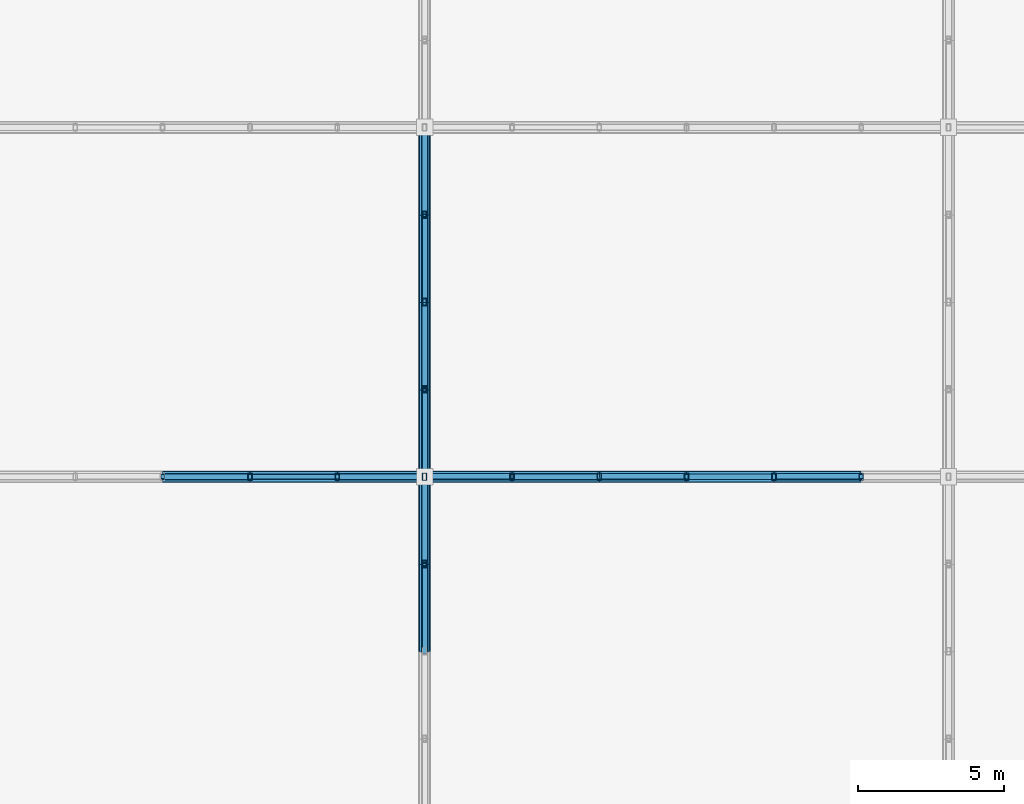
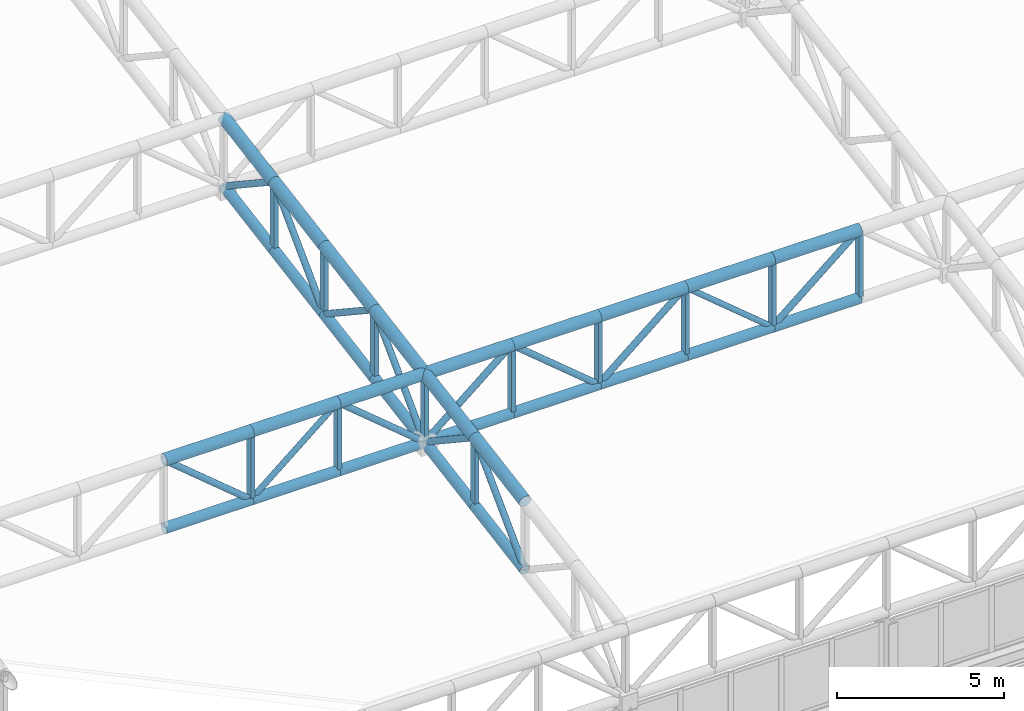
# One storey, part 66 of 239: 54 members.
"""IFC4 building model written with IfcOpenShell, lengths in metres."""

import ifcopenshell
import ifcopenshell.guid

model = None  # the IFC model being written
_history = None  # IfcOwnerHistory: only IFC2X3 demands one
_inside = {}  # id of a spatial element -> (the spatial element, [elements in it])
_under = {}  # id of a project, library or spatial element -> (it, [spatial elements below it])
_declared = {}  # id of a project -> (the project, [libraries it declares])
_typed = {}  # id of a type object -> (the type object, [elements of that type])
_made_of = {}  # id of a material, layer set ... -> (it, [elements and type objects made of it])


def new_model(schema):
    """Start an empty IFC model of exactly this schema.

    Asked for "IFC4X3", IfcOpenShell would pick the latest addendum, in which some entities
    have other attributes; the version numbers below select the first issue.
    IFC2X3 requires an IfcOwnerHistory on every rooted entity: one is made here for all.
    """
    global model, _history
    if schema == "IFC4X3":
        model = ifcopenshell.file(schema_version=(4, 3, 0, 0))
    else:
        model = ifcopenshell.file(schema=schema)
    _inside.clear()
    _under.clear()
    _declared.clear()
    _typed.clear()
    _made_of.clear()
    _history = None
    if model.schema == "IFC2X3":
        org = make("IfcOrganization", Name="unknown")
        user = make(
            "IfcPersonAndOrganization",
            ThePerson=make("IfcPerson", FamilyName="unknown"),
            TheOrganization=org,
        )
        app = make(
            "IfcApplication",
            ApplicationDeveloper=org,
            Version="unknown",
            ApplicationFullName="unknown",
            ApplicationIdentifier="unknown",
        )
        _history = make(
            "IfcOwnerHistory",
            OwningUser=user,
            OwningApplication=app,
            ChangeAction="ADDED",
            CreationDate=0,
        )
    return model


def make(cls, **values):
    """One entity of the class cls with the attributes given. An attribute that is None is left unset."""
    return model.create_entity(
        cls, **{name: value for name, value in values.items() if value is not None}
    )


def rooted(cls, **values):
    """An entity with a GlobalId (a new one), such as an element, a storey or a relation."""
    return make(cls, GlobalId=ifcopenshell.guid.new(), OwnerHistory=_history, **values)


def si_unit(unit_type, name, prefix=None):
    """IfcSIUnit, for example si_unit("LENGTHUNIT", "METRE", prefix="MILLI")."""
    return make("IfcSIUnit", UnitType=unit_type, Prefix=prefix, Name=name)


def assignment(units):
    """IfcUnitAssignment: the units of a project."""
    return None if units is None else make("IfcUnitAssignment", Units=units)


def point(xyz):
    """IfcCartesianPoint."""
    return None if xyz is None else make("IfcCartesianPoint", Coordinates=xyz)


def direction(xyz):
    """IfcDirection."""
    return None if xyz is None else make("IfcDirection", DirectionRatios=xyz)


def frame(location, z_axis=None, x_axis=None):
    """IfcAxis2Placement3D, a coordinate frame: its origin and axes. An axis left out is left unset."""
    return make(
        "IfcAxis2Placement3D",
        Location=point(location),
        Axis=direction(z_axis),
        RefDirection=direction(x_axis),
    )


def frame_2d(location, x_axis=None):
    """IfcAxis2Placement2D, a coordinate frame in the plane: its origin and x axis."""
    return make(
        "IfcAxis2Placement2D", Location=point(location), RefDirection=direction(x_axis)
    )


def origin():
    """The frame at (0, 0, 0) with its axes left unset."""
    return frame((0.0, 0.0, 0.0))


def origin_2d():
    """The frame at (0, 0) in the plane with its x axis left unset."""
    return frame_2d((0.0, 0.0))


def place(relative_to, where):
    """IfcLocalPlacement: puts the frame where relative to a parent placement (None: the world)."""
    return make(
        "IfcLocalPlacement", PlacementRelTo=relative_to, RelativePlacement=where
    )


def context(
    kind, dimensions, precision=None, world=None, true_north=None, identifier=None
):
    """IfcGeometricRepresentationContext, for example the 3D "Model" context."""
    return make(
        "IfcGeometricRepresentationContext",
        ContextIdentifier=identifier,
        ContextType=kind,
        CoordinateSpaceDimension=dimensions,
        Precision=precision,
        WorldCoordinateSystem=world,
        TrueNorth=true_north,
    )


def subcontext(parent, identifier, kind, view, scale=None):
    """IfcGeometricRepresentationSubContext, for example "Body" below "Model"."""
    return make(
        "IfcGeometricRepresentationSubContext",
        ContextIdentifier=identifier,
        ContextType=kind,
        ParentContext=parent,
        TargetScale=scale,
        TargetView=view,
    )


def project(units=None, contexts=None):
    """IfcProject with its units and contexts."""
    return rooted(
        "IfcProject",
        Name="project",
        RepresentationContexts=contexts,
        UnitsInContext=assignment(units),
    )


def spatial(cls, under=None, at=None, **own):
    """A site, building, storey or space (cls), placed at a placement, below another one or the project."""
    s = rooted(cls, ObjectPlacement=at, **own)
    if under is not None:
        _under.setdefault(under.id(), (under, []))[1].append(s)
    return s


def profile(cls, at=None, kind="AREA", **sizes):
    """A parametric profile (cls). Its sizes go by their IFC names, for example OverallWidth=200.0."""
    return make(cls, ProfileType=kind, Position=at, **sizes)


def hollow_rectangle(**sizes):
    """IfcRectangleHollowProfileDef."""
    return profile("IfcRectangleHollowProfileDef", **sizes)


def hollow_circle(**sizes):
    """IfcCircleHollowProfileDef."""
    return profile("IfcCircleHollowProfileDef", **sizes)


def extrude(swept, where, along, depth):
    """IfcExtrudedAreaSolid: the profile swept, set in the frame where, extruded along a direction by depth."""
    return make(
        "IfcExtrudedAreaSolid",
        SweptArea=swept,
        Position=where,
        ExtrudedDirection=direction(along),
        Depth=depth,
    )


def shape(context_of_items, identifier, shape_type, items):
    """IfcShapeRepresentation: the items that make up one representation, for example the "Body"."""
    return make(
        "IfcShapeRepresentation",
        ContextOfItems=context_of_items,
        RepresentationIdentifier=identifier,
        RepresentationType=shape_type,
        Items=items,
    )


def material(Name=None, Category=None):
    """IfcMaterial."""
    return make("IfcMaterial", Name=Name, Category=Category)


def material_profile(
    of_material, cross_section, Name=None, Category=None, Priority=None
):
    """IfcMaterialProfile: a cross section and its material."""
    return make(
        "IfcMaterialProfile",
        Name=Name,
        Material=of_material,
        Profile=cross_section,
        Priority=Priority,
        Category=Category,
    )


def profile_set(profiles, Name=None, composite=None):
    """IfcMaterialProfileSet."""
    return make(
        "IfcMaterialProfileSet",
        Name=Name,
        MaterialProfiles=profiles,
        CompositeProfile=composite,
    )


def made_of(thing, what):
    """Note that an element or type object is made of a material, layer set ...; save() writes the relation."""
    if what is not None:
        _made_of.setdefault(what.id(), (what, []))[1].append(thing)
    return thing


def type_object(cls, material=None, **own):
    """A type object (cls), such as IfcWallType, which elements share."""
    return made_of(rooted(cls, **own), material)


def element(
    cls,
    number,
    at=None,
    inside=None,
    cuts=None,
    type_object=None,
    material=None,
    context=None,
    identifier="Body",
    shape_type=None,
    held_by="IfcProductDefinitionShape",
    body=None,
    shapes=None,
    **own,
):
    """One element of the class cls, such as IfcWall. Its Tag is "e" and its number.

    at: its placement. inside: the storey or other place that contains it. cuts: it is an
    opening in that element (IfcRelVoidsElement). A single representation is given by context,
    identifier, shape_type and body (its items); several are given by shapes. held_by: the class
    of the entity that holds the representations. save() writes the other relations.
    """
    e = rooted(cls, Tag="e%d" % number, ObjectPlacement=at, **own)
    if body is not None:
        shapes = [shape(context, identifier, shape_type, body)]
    if shapes is not None:
        e.Representation = make(held_by, Representations=shapes)
    if inside is not None:
        _inside.setdefault(inside.id(), (inside, []))[1].append(e)
    if cuts is not None:
        rooted(
            "IfcRelVoidsElement", RelatingBuildingElement=cuts, RelatedOpeningElement=e
        )
    if type_object is not None:
        _typed.setdefault(type_object.id(), (type_object, []))[1].append(e)
    return made_of(e, material)


def aggregate(whole, parts):
    """IfcRelAggregates: a whole, such as a stair, and the parts it consists of."""
    return rooted("IfcRelAggregates", RelatingObject=whole, RelatedObjects=parts)


def save(model, path):
    """Write the relations noted so far, then the file.

    IfcRelAggregates (storeys below a building ...), IfcRelContainedInSpatialStructure (elements
    in a storey), IfcRelDefinesByType, IfcRelAssociatesMaterial and IfcRelDeclares: one each for
    every whole, place, type object, material and project.
    """
    for whole, parts in _under.values():
        aggregate(whole, parts)
    for where, things in _inside.values():
        rooted(
            "IfcRelContainedInSpatialStructure",
            RelatedElements=things,
            RelatingStructure=where,
        )
    for kind, things in _typed.values():
        rooted("IfcRelDefinesByType", RelatedObjects=things, RelatingType=kind)
    for what, things in _made_of.values():
        rooted("IfcRelAssociatesMaterial", RelatedObjects=things, RelatingMaterial=what)
    for by, libraries in _declared.values():
        rooted("IfcRelDeclares", RelatingContext=by, RelatedDefinitions=libraries)
    model.write(path)


model = new_model("IFC4")

# Units and contexts
model_context = context("Model", 3, precision=1e-05, world=origin(), true_north=direction((0.0, 1.0)))
body_context = subcontext(model_context, "Body", "Model", "MODEL_VIEW")
ifc_project = project(units=[si_unit("LENGTHUNIT", "METRE"), si_unit("AREAUNIT", "SQUARE_METRE"), si_unit("VOLUMEUNIT", "CUBIC_METRE"), si_unit("PLANEANGLEUNIT", "RADIAN"), si_unit("MASSUNIT", "GRAM", prefix="KILO")], contexts=[model_context])

# Site, building, storey
site_placement = place(None, origin())
site = spatial("IfcSite", under=ifc_project, at=site_placement, CompositionType="ELEMENT")
building_placement = place(site_placement, origin())
building = spatial("IfcBuilding", under=site, at=building_placement, Name="Kaldris Quays Convention Centre", CompositionType="ELEMENT")
storey_placement = place(building_placement, frame((0.0, 0.0, 11.39990234375)))
storey = spatial("IfcBuildingStorey", under=building, at=storey_placement, Name="L02", CompositionType="ELEMENT", Elevation=11.39990234375)

# Members
ifc_material = material(Name="Steel S355J2H", Category="steel")
ifc_material_profile_1 = material_profile(ifc_material, hollow_circle(Radius=0.203125, WallThickness=0.01611328125, at=origin_2d()), Name="CHS 406.4x16")
ifc_profile_set_1 = profile_set([ifc_material_profile_1], Name="Steel S355J2H")
member_type_1 = type_object("IfcMemberType", Name="STRUCTURAL MEMBER SC01", PredefinedType="CHORD", material=ifc_profile_set_1)
for number, where, z_axis, x_axis, name in (
    (1, (83.0, 68.0, 11.72900390625), (1.0, 0.0, 0.0), (0.0, 1.0, 0.0), "SF-V1 Top Chord X 64"),
    (2, (86.0, 68.0, 11.72900390625), (1.0, 0.0, 0.0), (0.0, 1.0, 0.0), "SF-V1 Top Chord X 65"),
    (3, (89.0, 68.0, 11.72900390625), (1.0, 0.0, 0.0), (0.0, 1.0, 0.0), "SF-V1 Top Chord X 66"),
    (4, (92.0, 68.0, 11.72900390625), (1.0, 0.0, 0.0), (0.0, 1.0, 0.0), "SF-V1 Top Chord X 67"),
    (5, (95.0, 68.0, 11.72900390625), (1.0, 0.0, 0.0), (0.0, 1.0, 0.0), "SF-V1 Top Chord X 68"),
    (6, (98.0, 68.0, 11.72900390625), (1.0, 0.0, 0.0), (0.0, 1.0, 0.0), "SF-V1 Top Chord X 69"),
    (7, (101.0, 68.0, 11.72900390625), (1.0, 0.0, 0.0), (0.0, 1.0, 0.0), "SF-V1 Top Chord X 70"),
    (8, (104.0, 68.0, 11.72900390625), (1.0, 0.0, 0.0), (0.0, 1.0, 0.0), "SF-V1 Top Chord X 71"),
):
    element("IfcMember", number, at=place(storey_placement, frame(where, z_axis=z_axis, x_axis=x_axis)), inside=storey, type_object=member_type_1, Name=name, PredefinedType="CHORD", context=body_context, shape_type="SweptSolid", body=[
        extrude(hollow_circle(Radius=0.203125, WallThickness=0.01611328125, at=origin_2d()), origin(), (0.0, 0.0, 1.0), 3.0),
    ])
for number, where, z_axis, x_axis, name in (
    (9, (92.0, 62.0, 10.700439453125), (0.0, 0.985615766076, 0.169001661712), (-1.0, 0.0, 0.0), "SF-V1 Top Chord Y 451"),
    (10, (92.0, 65.0, 11.21484375), (0.0, 0.98562912375, 0.168923741424), (-1.0, 0.0, 0.0), "SF-V1 Top Chord Y 452"),
    (11, (92.0, 68.0, 11.72900390625), (0.0, 0.985615766076, 0.169001661712), (-1.0, 0.0, 0.0), "SF-V1 Top Chord Y 453"),
    (12, (92.0, 71.0, 12.243408203125), (0.0, 0.98562912375, 0.168923741424), (-1.0, 0.0, 0.0), "SF-V1 Top Chord Y 454"),
    (13, (92.0, 74.0, 12.757568359375), (0.0, 0.985615766076, 0.169001661712), (-1.0, 0.0, 0.0), "SF-V1 Top Chord Y 455"),
    (14, (92.0, 77.0, 13.27197265625), (0.0, 0.98562912375, 0.168923741424), (-1.0, 0.0, 0.0), "SF-V1 Top Chord Y 456"),
):
    element("IfcMember", number, at=place(storey_placement, frame(where, z_axis=z_axis, x_axis=x_axis)), inside=storey, type_object=member_type_1, Name=name, PredefinedType="CHORD", context=body_context, shape_type="SweptSolid", body=[
        extrude(hollow_circle(Radius=0.203125, WallThickness=0.01611328125, at=origin_2d()), origin(), (0.0, 0.0, 1.0), 3.043701171875),
    ])
ifc_material_profile_2 = material_profile(ifc_material, hollow_circle(Radius=0.177734375, WallThickness=0.01611328125, at=origin_2d()), Name="CHS 355.6x16")
ifc_profile_set_2 = profile_set([ifc_material_profile_2], Name="Steel S355J2H")
member_type_2 = type_object("IfcMemberType", Name="STRUCTURAL MEMBER SC02", PredefinedType="CHORD", material=ifc_profile_set_2)
for number, where, z_axis, x_axis, name in (
    (15, (83.0, 68.0, 9.22900390625), (1.0, 0.0, 0.0), (0.0, 1.0, 0.0), "SF-V1 Bottom Chord X 64"),
    (16, (86.0, 68.0, 9.22900390625), (1.0, 0.0, 0.0), (0.0, 1.0, 0.0), "SF-V1 Bottom Chord X 65"),
    (17, (89.0, 68.0, 9.22900390625), (1.0, 0.0, 0.0), (0.0, 1.0, 0.0), "SF-V1 Bottom Chord X 66"),
    (18, (92.0, 68.0, 9.22900390625), (1.0, 0.0, 0.0), (0.0, 1.0, 0.0), "SF-V1 Bottom Chord X 67"),
    (19, (95.0, 68.0, 9.22900390625), (1.0, 0.0, 0.0), (0.0, 1.0, 0.0), "SF-V1 Bottom Chord X 68"),
    (20, (98.0, 68.0, 9.22900390625), (1.0, 0.0, 0.0), (0.0, 1.0, 0.0), "SF-V1 Bottom Chord X 69"),
    (21, (101.0, 68.0, 9.22900390625), (1.0, 0.0, 0.0), (0.0, 1.0, 0.0), "SF-V1 Bottom Chord X 70"),
    (22, (104.0, 68.0, 9.22900390625), (1.0, 0.0, 0.0), (0.0, 1.0, 0.0), "SF-V1 Bottom Chord X 71"),
):
    element("IfcMember", number, at=place(storey_placement, frame(where, z_axis=z_axis, x_axis=x_axis)), inside=storey, type_object=member_type_2, Name=name, PredefinedType="CHORD", context=body_context, shape_type="SweptSolid", body=[
        extrude(hollow_circle(Radius=0.177734375, WallThickness=0.01611328125, at=origin_2d()), origin(), (0.0, 0.0, 1.0), 3.0),
    ])
for number, where, z_axis, x_axis, name in (
    (23, (92.0, 62.0, 8.200439453125), (0.0, 0.985615766076, 0.169001661712), (-1.0, 0.0, 0.0), "SF-V1 Bottom Chord Y 451"),
    (24, (92.0, 65.0, 8.71484375), (0.0, 0.98562912375, 0.168923741424), (-1.0, 0.0, 0.0), "SF-V1 Bottom Chord Y 452"),
    (25, (92.0, 68.0, 9.22900390625), (0.0, 0.985615766076, 0.169001661712), (-1.0, 0.0, 0.0), "SF-V1 Bottom Chord Y 453"),
    (26, (92.0, 71.0, 9.743408203125), (0.0, 0.98562912375, 0.168923741424), (-1.0, 0.0, 0.0), "SF-V1 Bottom Chord Y 454"),
    (27, (92.0, 74.0, 10.257568359375), (0.0, 0.985615766076, 0.169001661712), (-1.0, 0.0, 0.0), "SF-V1 Bottom Chord Y 455"),
    (28, (92.0, 77.0, 10.77197265625), (0.0, 0.98562912375, 0.168923741424), (-1.0, 0.0, 0.0), "SF-V1 Bottom Chord Y 456"),
):
    element("IfcMember", number, at=place(storey_placement, frame(where, z_axis=z_axis, x_axis=x_axis)), inside=storey, type_object=member_type_2, Name=name, PredefinedType="CHORD", context=body_context, shape_type="SweptSolid", body=[
        extrude(hollow_circle(Radius=0.177734375, WallThickness=0.01611328125, at=origin_2d()), origin(), (0.0, 0.0, 1.0), 3.043701171875),
    ])
ifc_material_profile_3 = material_profile(ifc_material, hollow_circle(Radius=0.109619140625, WallThickness=0.010009765625, at=origin_2d()), Name="CHS 219.1x10")
ifc_profile_set_3 = profile_set([ifc_material_profile_3], Name="Steel S355J2H")
member_type_3 = type_object("IfcMemberType", Name="STRUCTURAL MEMBER SWB1", PredefinedType="BRACE", material=ifc_profile_set_3)
for number, where, z_axis, x_axis, name in (
    (29, (86.0, 68.0, 9.22900390625), (-0.768221279597, 0.0, 0.640184399664), (0.0, -1.0, 0.0), "SF-V1 Web Diagonal X 64"),
    (30, (92.0, 68.0, 9.22900390625), (-0.768221279597, 0.0, 0.640184399664), (0.0, -1.0, 0.0), "SF-V1 Web Diagonal X 66"),
    (31, (92.0, 68.0, 9.22900390625), (0.768221279597, 0.0, 0.640184399664), (0.0, 1.0, 0.0), "SF-V1 Web Diagonal X 67"),
    (32, (98.0, 68.0, 9.22900390625), (-0.768221279597, 0.0, 0.640184399664), (0.0, -1.0, 0.0), "SF-V1 Web Diagonal X 68"),
    (33, (98.0, 68.0, 9.22900390625), (0.768221279597, 0.0, 0.640184399664), (0.0, 1.0, 0.0), "SF-V1 Web Diagonal X 69"),
    (34, (104.0, 68.0, 9.22900390625), (0.768221279597, 0.0, 0.640184399664), (0.0, 1.0, 0.0), "SF-V1 Web Diagonal X 71"),
):
    element("IfcMember", number, at=place(storey_placement, frame(where, z_axis=z_axis, x_axis=x_axis)), inside=storey, type_object=member_type_3, Name=name, PredefinedType="BRACE", context=body_context, shape_type="SweptSolid", body=[
        extrude(hollow_circle(Radius=0.109619140625, WallThickness=0.010009765625, at=origin_2d()), origin(), (0.0, 0.0, 1.0), 3.905029296875),
    ])
member_1_placement = place(storey_placement, frame((92.0, 62.0, 8.200439453125), z_axis=(0.0, 0.705411261057, 0.708798245465), x_axis=(-1.0, 0.0, 0.0)))
element("IfcMember", 35, at=member_1_placement, inside=storey, type_object=member_type_3, Name="SF-V1 Web Diagonal Y 451", PredefinedType="BRACE", context=body_context, shape_type="SweptSolid", body=[
    extrude(hollow_circle(Radius=0.109619140625, WallThickness=0.010009765625, at=origin_2d()), origin(), (0.0, 0.0, 1.0), 4.2529296875),
])
member_2_placement = place(storey_placement, frame((92.0, 68.0, 9.22900390625), z_axis=(0.0, -0.833862389808, 0.551972385962), x_axis=(1.0, 0.0, 0.0)))
element("IfcMember", 36, at=member_2_placement, inside=storey, type_object=member_type_3, Name="SF-V1 Web Diagonal Y 452", PredefinedType="BRACE", context=body_context, shape_type="SweptSolid", body=[
    extrude(hollow_circle(Radius=0.109619140625, WallThickness=0.010009765625, at=origin_2d()), origin(), (0.0, 0.0, 1.0), 3.59765625),
])
member_3_placement = place(storey_placement, frame((92.0, 68.0, 9.22900390625), z_axis=(0.0, 0.705411261057, 0.708798245465), x_axis=(-1.0, 0.0, 0.0)))
element("IfcMember", 37, at=member_3_placement, inside=storey, type_object=member_type_3, Name="SF-V1 Web Diagonal Y 453", PredefinedType="BRACE", context=body_context, shape_type="SweptSolid", body=[
    extrude(hollow_circle(Radius=0.109619140625, WallThickness=0.010009765625, at=origin_2d()), origin(), (0.0, 0.0, 1.0), 4.2529296875),
])
member_4_placement = place(storey_placement, frame((92.0, 74.0, 10.257568359375), z_axis=(0.0, -0.833862389808, 0.551972385962), x_axis=(1.0, 0.0, 0.0)))
element("IfcMember", 38, at=member_4_placement, inside=storey, type_object=member_type_3, Name="SF-V1 Web Diagonal Y 454", PredefinedType="BRACE", context=body_context, shape_type="SweptSolid", body=[
    extrude(hollow_circle(Radius=0.109619140625, WallThickness=0.010009765625, at=origin_2d()), origin(), (0.0, 0.0, 1.0), 3.59765625),
])
member_5_placement = place(storey_placement, frame((92.0, 74.0, 10.257568359375), z_axis=(0.0, 0.705411261057, 0.708798245465), x_axis=(-1.0, 0.0, 0.0)))
element("IfcMember", 39, at=member_5_placement, inside=storey, type_object=member_type_3, Name="SF-V1 Web Diagonal Y 455", PredefinedType="BRACE", context=body_context, shape_type="SweptSolid", body=[
    extrude(hollow_circle(Radius=0.109619140625, WallThickness=0.010009765625, at=origin_2d()), origin(), (0.0, 0.0, 1.0), 4.2529296875),
])
member_6_placement = place(storey_placement, frame((92.0, 80.0, 11.2861328125), z_axis=(0.0, -0.833862389808, 0.551972385962), x_axis=(1.0, 0.0, 0.0)))
element("IfcMember", 40, at=member_6_placement, inside=storey, type_object=member_type_3, Name="SF-V1 Web Diagonal Y 456", PredefinedType="BRACE", context=body_context, shape_type="SweptSolid", body=[
    extrude(hollow_circle(Radius=0.109619140625, WallThickness=0.010009765625, at=origin_2d()), origin(), (0.0, 0.0, 1.0), 3.59765625),
])
ifc_material_profile_4 = material_profile(ifc_material, hollow_circle(Radius=0.096923828125, WallThickness=0.008056640625, at=origin_2d()), Name="CHS 193.7x8")
ifc_profile_set_4 = profile_set([ifc_material_profile_4], Name="Steel S355J2H")
member_type_4 = type_object("IfcMemberType", Name="STRUCTURAL MEMBER SWB3", PredefinedType="BRACE", material=ifc_profile_set_4)
for number, where, z_axis, x_axis, name in (
    (41, (86.0, 68.0, 9.22900390625), (0.768221279597, 0.0, 0.640184399664), (0.0, 1.0, 0.0), "SF-V1 Web Diagonal X 65"),
    (42, (104.0, 68.0, 9.22900390625), (-0.768221279597, 0.0, 0.640184399664), (0.0, -1.0, 0.0), "SF-V1 Web Diagonal X 70"),
):
    element("IfcMember", number, at=place(storey_placement, frame(where, z_axis=z_axis, x_axis=x_axis)), inside=storey, type_object=member_type_4, Name=name, PredefinedType="BRACE", context=body_context, shape_type="SweptSolid", body=[
        extrude(hollow_circle(Radius=0.096923828125, WallThickness=0.008056640625, at=origin_2d()), origin(), (0.0, 0.0, 1.0), 3.905029296875),
    ])
ifc_material_profile_5 = material_profile(ifc_material, hollow_rectangle(XDim=0.14990234375, YDim=0.25, WallThickness=0.010009765625, at=origin_2d()), Name="RHS 250x150x10")
ifc_profile_set_5 = profile_set([ifc_material_profile_5], Name="Steel S355J2H")
member_type_5 = type_object("IfcMemberType", Name="STRUCTURAL MEMBER TTV1", PredefinedType="POST", material=ifc_profile_set_5)
for number, where, z_axis, x_axis, name in (
    (43, (86.0, 68.0, 9.22900390625), (0.0, 0.0, 1.0), (1.0, 0.0, 0.0), "SF-V1 Space-Frame Post 262"),
    (44, (89.0, 68.0, 9.22900390625), (0.0, 0.0, 1.0), (1.0, 0.0, 0.0), "SF-V1 Space-Frame Post 270"),
    (45, (92.0, 65.0, 8.71484375), (0.0, 0.0, 1.0), (1.0, 0.0, 0.0), "SF-V1 Space-Frame Post 280"),
    (46, (92.0, 68.0, 9.22900390625), (0.0, 0.0, 1.0), (1.0, 0.0, 0.0), "SF-V1 Space-Frame Post 281"),
    (47, (92.0, 71.0, 9.743408203125), (0.0, 0.0, 1.0), (1.0, 0.0, 0.0), "SF-V1 Space-Frame Post 282"),
    (48, (92.0, 74.0, 10.257568359375), (0.0, 0.0, 1.0), (1.0, 0.0, 0.0), "SF-V1 Space-Frame Post 283"),
    (49, (92.0, 77.0, 10.77197265625), (0.0, 0.0, 1.0), (1.0, 0.0, 0.0), "SF-V1 Space-Frame Post 284"),
    (50, (95.0, 68.0, 9.22900390625), (0.0, 0.0, 1.0), (1.0, 0.0, 0.0), "SF-V1 Space-Frame Post 307"),
    (51, (98.0, 68.0, 9.22900390625), (0.0, 0.0, 1.0), (1.0, 0.0, 0.0), "SF-V1 Space-Frame Post 315"),
    (52, (101.0, 68.0, 9.22900390625), (0.0, 0.0, 1.0), (1.0, 0.0, 0.0), "SF-V1 Space-Frame Post 323"),
    (53, (104.0, 68.0, 9.22900390625), (0.0, 0.0, 1.0), (1.0, 0.0, 0.0), "SF-V1 Space-Frame Post 331"),
    (54, (107.0, 68.0, 9.22900390625), (0.0, 0.0, 1.0), (1.0, 0.0, 0.0), "SF-V1 Space-Frame Post 339"),
):
    element("IfcMember", number, at=place(storey_placement, frame(where, z_axis=z_axis, x_axis=x_axis)), inside=storey, type_object=member_type_5, Name=name, PredefinedType="POST", context=body_context, shape_type="SweptSolid", body=[
        extrude(hollow_rectangle(XDim=0.14990234375, YDim=0.25, WallThickness=0.010009765625, at=origin_2d()), origin(), (0.0, 0.0, 1.0), 2.5),
    ])

save(model, "model.ifc")
